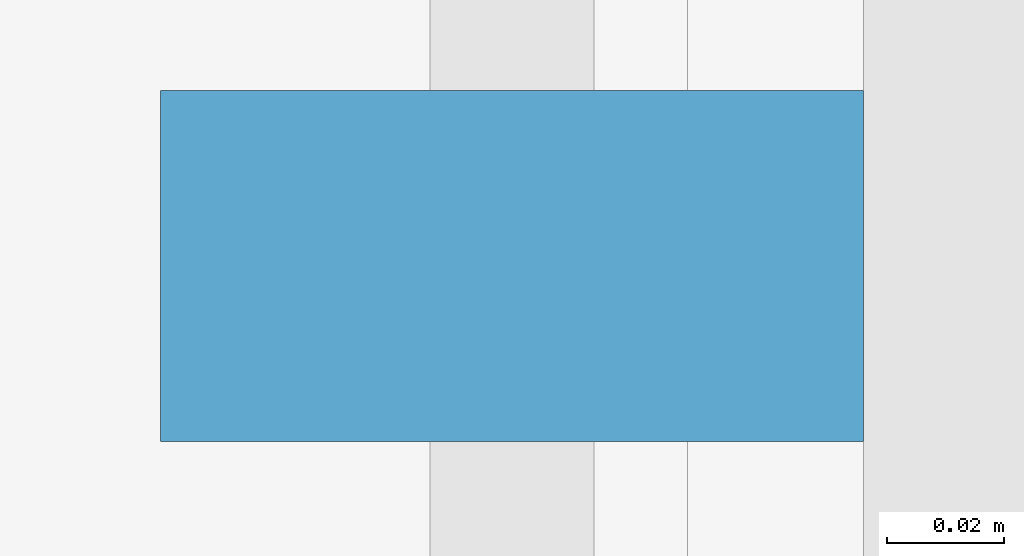
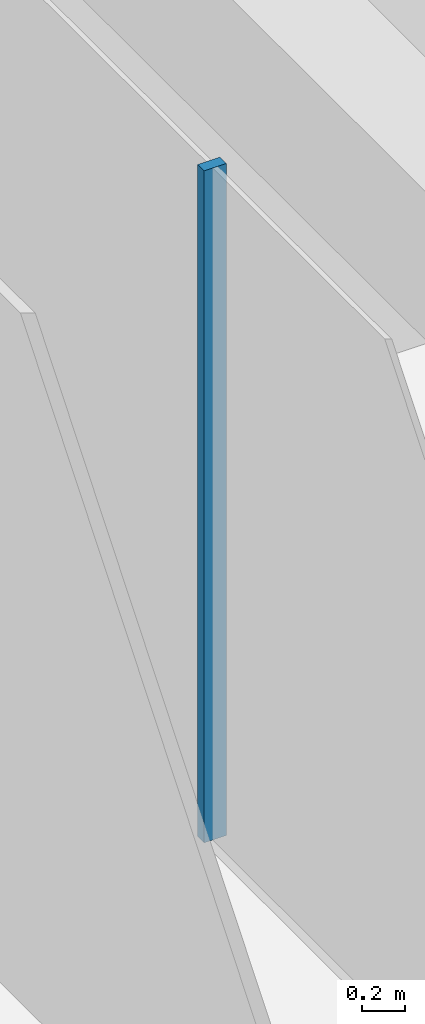
# One storey, part 10 of 19: 1 member, 1 element without a shape of its own.
"""IFC4 building model written with IfcOpenShell, lengths in metres."""

from ifc_helpers import new_model, si_unit, direction, frame, origin, origin_2d, place, context, subcontext, project, spatial, rectangle, extrude, material, layer, layer_set, material_profile, profile_set, type_object, element, aggregate, save


model = new_model("IFC4")

# Units and contexts
model_context = context("Model", 3, precision=1e-05, world=origin(), true_north=direction((0.0, 1.0)))
body_context = subcontext(model_context, "Body", "Model", "MODEL_VIEW")
ifc_project = project(units=[si_unit("LENGTHUNIT", "METRE"), si_unit("AREAUNIT", "SQUARE_METRE"), si_unit("VOLUMEUNIT", "CUBIC_METRE"), si_unit("PLANEANGLEUNIT", "RADIAN"), si_unit("MASSUNIT", "GRAM", prefix="KILO")], contexts=[model_context])

# Site, building, storey
site_placement = place(None, origin())
site = spatial("IfcSite", under=ifc_project, at=site_placement, CompositionType="ELEMENT")
building_placement = place(site_placement, origin())
building = spatial("IfcBuilding", under=site, at=building_placement, Name="Welwitschia Terrace Campus", CompositionType="ELEMENT")
storey_placement = place(building_placement, frame((0.0, 0.0, 243.199951171875)))
storey = spatial("IfcBuildingStorey", under=building, at=storey_placement, Name="L54", CompositionType="ELEMENT", Elevation=243.199951171875)

# Curtain wall, member
ifc_material_1 = material(Name="Bronze anodised aluminium", Category="aluminium")
ifc_layer = layer(ifc_material_1, 0.1201171875)
ifc_layer_set = layer_set([ifc_layer], Name="Bronze anodised aluminium")
curtain_wall_type = type_object("IfcCurtainWallType", Name="Curtain wall CW2 tower 6000", PredefinedType="NOTDEFINED", material=ifc_layer_set)
curtain_wall_placement = place(storey_placement, origin())
curtain_wall = element("IfcCurtainWall", 1, at=curtain_wall_placement, inside=storey, type_object=curtain_wall_type, Name="CW L54.8.0", PredefinedType="NOTDEFINED")
ifc_material_2 = material(Name="Bronze anodised aluminium", Category="aluminium")
ifc_material_profile = material_profile(ifc_material_2, rectangle(XDim=0.1201171875, YDim=0.06005859375, at=origin_2d()))
ifc_profile_set = profile_set([ifc_material_profile], Name="Bronze anodised aluminium")
member_type = type_object("IfcMemberType", Name="Mullion 60x120", PredefinedType="MULLION", material=ifc_profile_set)
member_placement = place(storey_placement, frame((-1.030029296875, 53.938232421875, 0.0), z_axis=(0.0, 0.0, 1.0), x_axis=(1.0, 0.0, 0.0)))
member = element("IfcMember", 2, at=member_placement, type_object=member_type, Name="Mullion L54.8.0.3", PredefinedType="MULLION", context=body_context, shape_type="SweptSolid", body=[
    extrude(rectangle(XDim=0.1201171875, YDim=0.06005859375, at=origin_2d()), origin(), (0.0, 0.0, 1.0), 3.85009765625),
])
aggregate(curtain_wall, [member])

save(model, "model.ifc")
